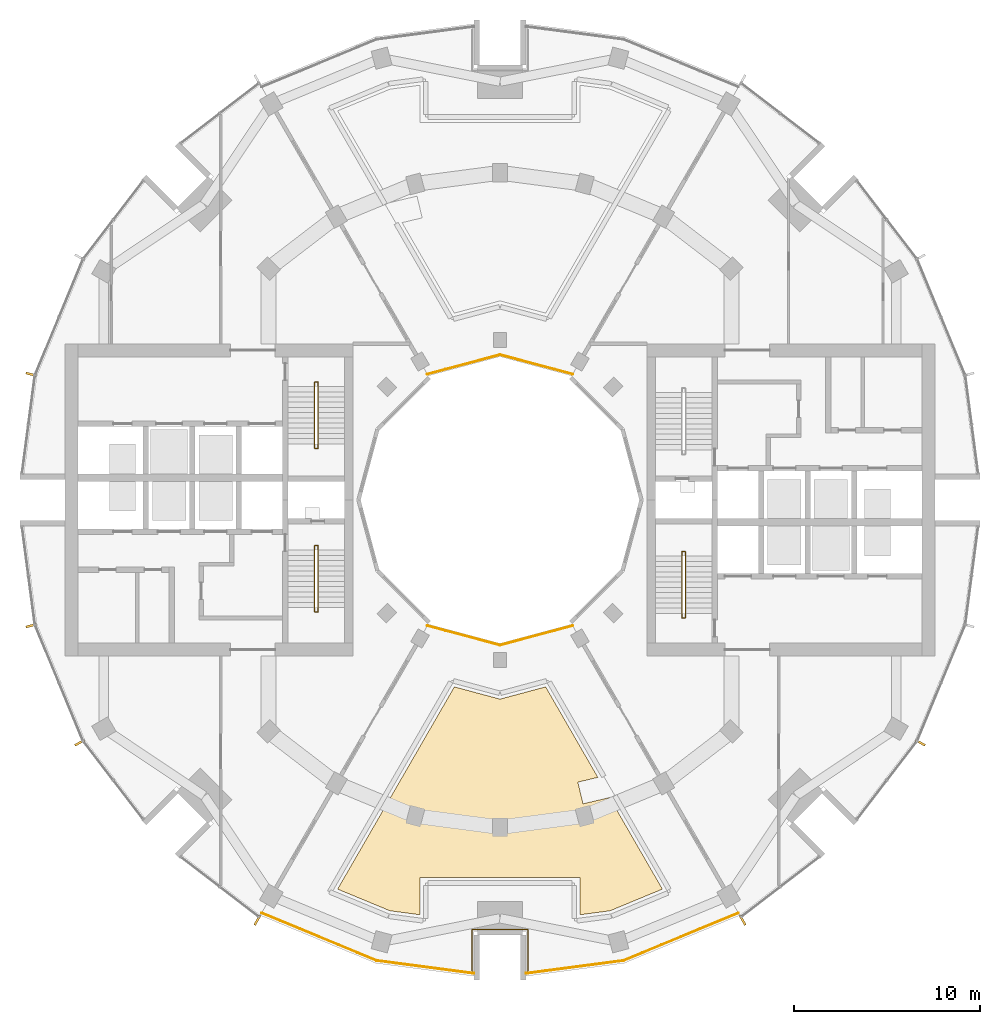
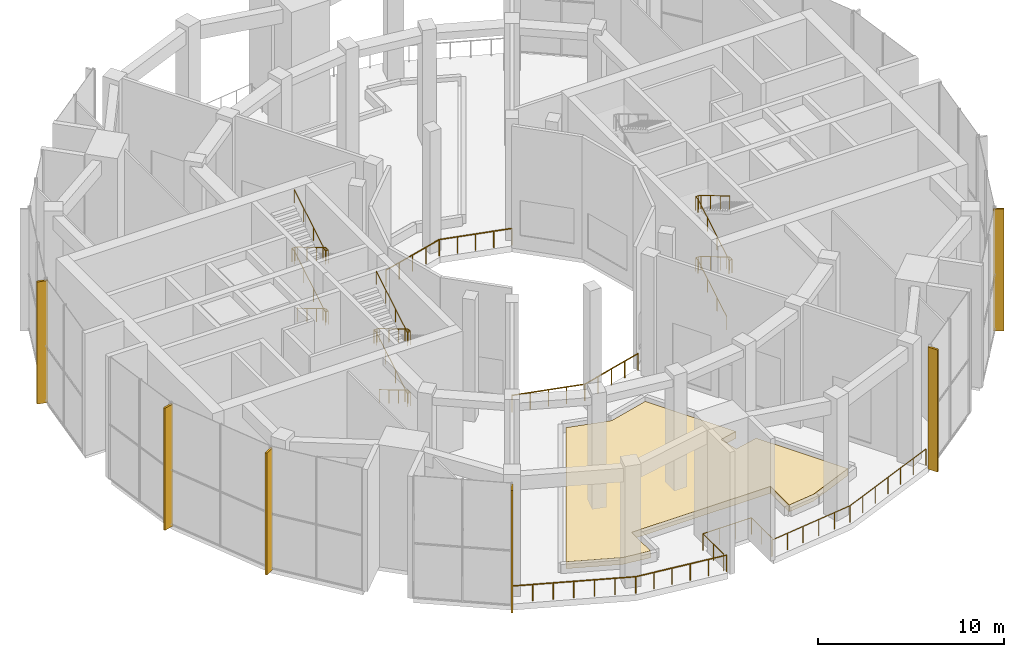
# One storey, part 16 of 18: 8 railings, 6 shading devices, 1 covering.
"""IFC4 building model written with IfcOpenShell, lengths in metres."""

from ifc_helpers import new_model, si_unit, direction, frame, origin, origin_2d, place, context, subcontext, project, spatial, polyline, rectangle, circle, outline, extrude, material, layer, layer_set, material_profile, profile_set, type_object, element, save


model = new_model("IFC4")

# Units and contexts
model_context = context("Model", 3, precision=1e-05, world=origin(), true_north=direction((0.0, 1.0)))
body_context = subcontext(model_context, "Body", "Model", "MODEL_VIEW")
ifc_project = project(units=[si_unit("LENGTHUNIT", "METRE"), si_unit("AREAUNIT", "SQUARE_METRE"), si_unit("VOLUMEUNIT", "CUBIC_METRE"), si_unit("PLANEANGLEUNIT", "RADIAN"), si_unit("MASSUNIT", "GRAM", prefix="KILO")], contexts=[model_context])

# Site, building, storey
site_placement = place(None, origin())
site = spatial("IfcSite", under=ifc_project, at=site_placement, CompositionType="ELEMENT")
building_placement = place(site_placement, origin())
building = spatial("IfcBuilding", under=site, at=building_placement, Name="Torre Brocal", CompositionType="ELEMENT")
storey_placement = place(building_placement, frame((0.0, 0.0, 149.699951171875)))
storey = spatial("IfcBuildingStorey", under=building, at=storey_placement, Name="L35", CompositionType="ELEMENT", Elevation=149.699951171875)

# Shading devices
ifc_material_1 = material(Name="Aluminium, black anodised", Category="aluminium")
ifc_material_profile = material_profile(ifc_material_1, rectangle(XDim=0.1201171875, YDim=0.60009765625, at=origin_2d()), Name="FIN 120X600 8000 HIGH")
ifc_profile_set = profile_set([ifc_material_profile], Name="Aluminium, black anodised")
shading_device_type = type_object("IfcShadingDeviceType", Name="FIN 120X600 8000 HIGH", PredefinedType="USERDEFINED", material=ifc_profile_set)
for number, where, z_axis, x_axis, name in (
    (1, (54.791015625, 81.754638671875, -0.14990234375), (0.0, 0.0, 1.0), (-0.258819045103, -0.965925826289, 0.0), "FIN"),
    (2, (54.791015625, 68.245361328125, -0.14990234375), (0.0, 0.0, 1.0), (0.258819045103, -0.965925826289, 0.0), "FIN"),
    (3, (57.398193359375, 61.950927734375, -0.14990234375), (0.0, 0.0, 1.0), (0.5, -0.866025403784, 0.0), "FIN"),
    (4, (66.950927734375, 52.398193359375, -0.14990234375), (0.0, 0.0, 1.0), (0.866025403784, -0.5, 0.0), "FIN"),
    (5, (93.049072265625, 52.398193359375, -0.14990234375), (0.0, 0.0, 1.0), (0.866025403784, 0.5, 0.0), "FIN"),
    (6, (102.601806640625, 61.950927734375, -0.14990234375), (0.0, 0.0, 1.0), (0.5, 0.866025403784, 0.0), "FIN"),
):
    element("IfcShadingDevice", number, at=place(storey_placement, frame(where, z_axis=z_axis, x_axis=x_axis)), inside=storey, type_object=shading_device_type, Name=name, ObjectType="FIN", PredefinedType="USERDEFINED", context=body_context, shape_type="SweptSolid", body=[
        extrude(rectangle(XDim=0.1201171875, YDim=0.60009765625, at=origin_2d()), origin(), (0.0, 0.0, 1.0), 8.0),
    ])

# Railings
ifc_material_2 = material(Name="Laminated glass", Category="glass")
railing_type_1 = type_object("IfcRailingType", Name="GLASS BALUSTRADE 1100", PredefinedType="BALUSTRADE", material=ifc_material_2)
railing_1_placement = place(storey_placement, frame((83.9052734375, 81.76416015625, 0.0)))
element("IfcRailing", 7, at=railing_1_placement, inside=storey, type_object=railing_type_1, Name="GLASS BALUSTRADE", PredefinedType="BALUSTRADE", context=body_context, shape_type="SweptSolid", body=[
    extrude(circle(Radius=0.02392578125, at=origin_2d()), frame((0.0, 0.0, 1.076171875), z_axis=(-0.965927566611, 0.258812550044, 0.0), x_axis=(-0.258812550044, -0.965927566611, 0.0)), (0.0, 0.0, 1.0), 4.04296875),
    extrude(circle(Radius=0.02392578125, at=origin_2d()), frame((-3.9052734375, 1.04638671875, 1.076171875), z_axis=(-0.965927566611, -0.258812550044, 0.0), x_axis=(0.258812550044, -0.965927566611, 0.0)), (0.0, 0.0, 1.0), 4.04296875),
    extrude(circle(Radius=0.02099609375, at=origin_2d()), origin(), (0.0, 0.0, 1.0), 1.052001953125),
    extrude(circle(Radius=0.02099609375, at=origin_2d()), frame((-0.976318359375, 0.26171875, 0.0)), (0.0, 0.0, 1.0), 1.052001953125),
    extrude(circle(Radius=0.02099609375, at=origin_2d()), frame((-1.95263671875, 0.523193359375, 0.0)), (0.0, 0.0, 1.0), 1.052001953125),
    extrude(circle(Radius=0.02099609375, at=origin_2d()), frame((-2.928955078125, 0.78466796875, 0.0)), (0.0, 0.0, 1.0), 1.052001953125),
    extrude(circle(Radius=0.02099609375, at=origin_2d()), frame((-3.9052734375, 1.04638671875, 0.0)), (0.0, 0.0, 1.0), 1.052001953125),
    extrude(circle(Radius=0.02099609375, at=origin_2d()), frame((-4.881591796875, 0.78466796875, 0.0)), (0.0, 0.0, 1.0), 1.052001953125),
    extrude(circle(Radius=0.02099609375, at=origin_2d()), frame((-5.85791015625, 0.523193359375, 0.0)), (0.0, 0.0, 1.0), 1.052001953125),
    extrude(circle(Radius=0.02099609375, at=origin_2d()), frame((-6.834228515625, 0.26171875, 0.0)), (0.0, 0.0, 1.0), 1.052001953125),
    extrude(circle(Radius=0.02099609375, at=origin_2d()), frame((-7.810546875, 0.0, 0.0)), (0.0, 0.0, 1.0), 1.052001953125),
])
railing_2_placement = place(storey_placement, frame((76.0947265625, 68.23583984375, 0.0)))
element("IfcRailing", 8, at=railing_2_placement, inside=storey, type_object=railing_type_1, Name="GLASS BALUSTRADE", PredefinedType="BALUSTRADE", context=body_context, shape_type="SweptSolid", body=[
    extrude(circle(Radius=0.02392578125, at=origin_2d()), frame((0.0, 0.0, 1.076171875), z_axis=(0.965927566611, -0.258812550044, 0.0), x_axis=(0.258812550044, 0.965927566611, 0.0)), (0.0, 0.0, 1.0), 4.04296875),
    extrude(circle(Radius=0.02392578125, at=origin_2d()), frame((3.9052734375, -1.04638671875, 1.076171875), z_axis=(0.965927566611, 0.258812550044, 0.0), x_axis=(-0.258812550044, 0.965927566611, 0.0)), (0.0, 0.0, 1.0), 4.04296875),
    extrude(circle(Radius=0.02099609375, at=origin_2d()), origin(), (0.0, 0.0, 1.0), 1.052001953125),
    extrude(circle(Radius=0.02099609375, at=origin_2d()), frame((0.976318359375, -0.26171875, 0.0)), (0.0, 0.0, 1.0), 1.052001953125),
    extrude(circle(Radius=0.02099609375, at=origin_2d()), frame((1.95263671875, -0.523193359375, 0.0)), (0.0, 0.0, 1.0), 1.052001953125),
    extrude(circle(Radius=0.02099609375, at=origin_2d()), frame((2.928955078125, -0.78466796875, 0.0)), (0.0, 0.0, 1.0), 1.052001953125),
    extrude(circle(Radius=0.02099609375, at=origin_2d()), frame((3.9052734375, -1.04638671875, 0.0)), (0.0, 0.0, 1.0), 1.052001953125),
    extrude(circle(Radius=0.02099609375, at=origin_2d()), frame((4.881591796875, -0.78466796875, 0.0)), (0.0, 0.0, 1.0), 1.052001953125),
    extrude(circle(Radius=0.02099609375, at=origin_2d()), frame((5.85791015625, -0.523193359375, 0.0)), (0.0, 0.0, 1.0), 1.052001953125),
    extrude(circle(Radius=0.02099609375, at=origin_2d()), frame((6.834228515625, -0.26171875, 0.0)), (0.0, 0.0, 1.0), 1.052001953125),
    extrude(circle(Radius=0.02099609375, at=origin_2d()), frame((7.810546875, 0.0, 0.0)), (0.0, 0.0, 1.0), 1.052001953125),
])
railing_3_placement = place(storey_placement, frame((67.176513671875, 52.7890625, 0.0)))
element("IfcRailing", 9, at=railing_3_placement, inside=storey, type_object=railing_type_1, Name="GLASS BALUSTRADE", PredefinedType="BALUSTRADE", context=body_context, shape_type="SweptSolid", body=[
    extrude(circle(Radius=0.02392578125, at=origin_2d()), frame((0.0, 0.0, 1.076171875), z_axis=(0.923873277269, -0.382698533507, 0.0), x_axis=(0.382698533507, 0.923873277269, 0.0)), (0.0, 0.0, 1.0), 6.6953125),
    extrude(circle(Radius=0.02392578125, at=origin_2d()), frame((6.185546875, -2.562255859375, 1.076171875), z_axis=(0.991448474977, -0.130498741241, 0.0), x_axis=(0.130498741241, 0.991448474977, 0.0)), (0.0, 0.0, 1.0), 5.283203125),
    extrude(circle(Radius=0.02099609375, at=origin_2d()), origin(), (0.0, 0.0, 1.0), 1.052001953125),
    extrude(circle(Radius=0.02099609375, at=origin_2d()), frame((1.031005859375, -0.427001953125, 0.0)), (0.0, 0.0, 1.0), 1.052001953125),
    extrude(circle(Radius=0.02099609375, at=origin_2d()), frame((2.061767578125, -0.85400390625, 0.0)), (0.0, 0.0, 1.0), 1.052001953125),
    extrude(circle(Radius=0.02099609375, at=origin_2d()), frame((3.0927734375, -1.28125, 0.0)), (0.0, 0.0, 1.0), 1.052001953125),
    extrude(circle(Radius=0.02099609375, at=origin_2d()), frame((4.123779296875, -1.708251953125, 0.0)), (0.0, 0.0, 1.0), 1.052001953125),
    extrude(circle(Radius=0.02099609375, at=origin_2d()), frame((5.154541015625, -2.13525390625, 0.0)), (0.0, 0.0, 1.0), 1.052001953125),
    extrude(circle(Radius=0.02099609375, at=origin_2d()), frame((6.185546875, -2.562255859375, 0.0)), (0.0, 0.0, 1.0), 1.052001953125),
    extrude(circle(Radius=0.02099609375, at=origin_2d()), frame((7.233154296875, -2.7001953125, 0.0)), (0.0, 0.0, 1.0), 1.052001953125),
    extrude(circle(Radius=0.02099609375, at=origin_2d()), frame((8.28076171875, -2.838134765625, 0.0)), (0.0, 0.0, 1.0), 1.052001953125),
    extrude(circle(Radius=0.02099609375, at=origin_2d()), frame((9.328369140625, -2.975830078125, 0.0)), (0.0, 0.0, 1.0), 1.052001953125),
    extrude(circle(Radius=0.02099609375, at=origin_2d()), frame((10.3759765625, -3.11376953125, 0.0)), (0.0, 0.0, 1.0), 1.052001953125),
    extrude(circle(Radius=0.02099609375, at=origin_2d()), frame((11.423583984375, -3.251708984375, 0.0)), (0.0, 0.0, 1.0), 1.052001953125),
])
railing_4_placement = place(storey_placement, frame((81.39990234375, 49.537353515625, 0.0)))
element("IfcRailing", 10, at=railing_4_placement, inside=storey, type_object=railing_type_1, Name="GLASS BALUSTRADE", PredefinedType="BALUSTRADE", context=body_context, shape_type="SweptSolid", body=[
    extrude(circle(Radius=0.02392578125, at=origin_2d()), frame((0.0, 0.0, 1.076171875), z_axis=(0.991448474977, 0.130498741241, 0.0), x_axis=(-0.130498741241, 0.991448474977, 0.0)), (0.0, 0.0, 1.0), 5.283203125),
    extrude(circle(Radius=0.02392578125, at=origin_2d()), frame((5.238037109375, 0.689453125, 1.076171875), z_axis=(0.923873277269, 0.382698533507, 0.0), x_axis=(-0.382698533507, 0.923873277269, 0.0)), (0.0, 0.0, 1.0), 6.6953125),
    extrude(circle(Radius=0.02099609375, at=origin_2d()), origin(), (0.0, 0.0, 1.0), 1.052001953125),
    extrude(circle(Radius=0.02099609375, at=origin_2d()), frame((1.047607421875, 0.137939453125, 0.0)), (0.0, 0.0, 1.0), 1.052001953125),
    extrude(circle(Radius=0.02099609375, at=origin_2d()), frame((2.09521484375, 0.27587890625, 0.0)), (0.0, 0.0, 1.0), 1.052001953125),
    extrude(circle(Radius=0.02099609375, at=origin_2d()), frame((3.142822265625, 0.41357421875, 0.0)), (0.0, 0.0, 1.0), 1.052001953125),
    extrude(circle(Radius=0.02099609375, at=origin_2d()), frame((4.1904296875, 0.551513671875, 0.0)), (0.0, 0.0, 1.0), 1.052001953125),
    extrude(circle(Radius=0.02099609375, at=origin_2d()), frame((5.238037109375, 0.689453125, 0.0)), (0.0, 0.0, 1.0), 1.052001953125),
    extrude(circle(Radius=0.02099609375, at=origin_2d()), frame((6.26904296875, 1.116455078125, 0.0)), (0.0, 0.0, 1.0), 1.052001953125),
    extrude(circle(Radius=0.02099609375, at=origin_2d()), frame((7.2998046875, 1.54345703125, 0.0)), (0.0, 0.0, 1.0), 1.052001953125),
    extrude(circle(Radius=0.02099609375, at=origin_2d()), frame((8.330810546875, 1.970703125, 0.0)), (0.0, 0.0, 1.0), 1.052001953125),
    extrude(circle(Radius=0.02099609375, at=origin_2d()), frame((9.36181640625, 2.397705078125, 0.0)), (0.0, 0.0, 1.0), 1.052001953125),
    extrude(circle(Radius=0.02099609375, at=origin_2d()), frame((10.392578125, 2.82470703125, 0.0)), (0.0, 0.0, 1.0), 1.052001953125),
    extrude(circle(Radius=0.02099609375, at=origin_2d()), frame((11.423583984375, 3.251708984375, 0.0)), (0.0, 0.0, 1.0), 1.052001953125),
])
ifc_material_3 = material(Name="Steel A36", Category="steel")
railing_type_2 = type_object("IfcRailingType", Name="GUARD 1100", PredefinedType="GUARDRAIL", material=ifc_material_3)
railing_5_placement = place(storey_placement, frame((81.5, 49.671630859375, 0.0)))
element("IfcRailing", 11, at=railing_5_placement, inside=storey, type_object=railing_type_2, Name="GUARD", PredefinedType="GUARDRAIL", context=body_context, shape_type="SweptSolid", body=[
    extrude(circle(Radius=0.02392578125, at=origin_2d()), frame((0.0, 0.0, 1.076171875), z_axis=(0.0, 1.0, 0.0), x_axis=(-1.0, 0.0, 0.0)), (0.0, 0.0, 1.0), 2.228271484375),
    extrude(circle(Radius=0.02392578125, at=origin_2d()), frame((0.0, 2.228271484375, 1.076171875), z_axis=(-1.0, 0.0, 0.0), x_axis=(0.0, -1.0, 0.0)), (0.0, 0.0, 1.0), 3.0),
    extrude(circle(Radius=0.02392578125, at=origin_2d()), frame((-3.0, 2.228271484375, 1.076171875), z_axis=(0.0, -1.0, 0.0), x_axis=(1.0, 0.0, 0.0)), (0.0, 0.0, 1.0), 2.228271484375),
    extrude(circle(Radius=0.02099609375, at=origin_2d()), origin(), (0.0, 0.0, 1.0), 1.052001953125),
    extrude(circle(Radius=0.02099609375, at=origin_2d()), frame((0.0, 1.1142578125, 0.0)), (0.0, 0.0, 1.0), 1.052001953125),
    extrude(circle(Radius=0.02099609375, at=origin_2d()), frame((0.0, 2.228271484375, 0.0)), (0.0, 0.0, 1.0), 1.052001953125),
    extrude(circle(Radius=0.02099609375, at=origin_2d()), frame((-1.0, 2.228271484375, 0.0)), (0.0, 0.0, 1.0), 1.052001953125),
    extrude(circle(Radius=0.02099609375, at=origin_2d()), frame((-2.0, 2.228271484375, 0.0)), (0.0, 0.0, 1.0), 1.052001953125),
    extrude(circle(Radius=0.02099609375, at=origin_2d()), frame((-3.0, 2.228271484375, 0.0)), (0.0, 0.0, 1.0), 1.052001953125),
    extrude(circle(Radius=0.02099609375, at=origin_2d()), frame((-3.0, 1.1142578125, 0.0)), (0.0, 0.0, 1.0), 1.052001953125),
    extrude(circle(Radius=0.02099609375, at=origin_2d()), frame((-3.0, 0.0, 0.0)), (0.0, 0.0, 1.0), 1.052001953125),
])

# Covering
ifc_material_4 = material(Name="Planting soil")
ifc_layer = layer(ifc_material_4, 0.449951171875)
ifc_layer_set = layer_set([ifc_layer], Name="Planting soil")
covering_type = type_object("IfcCoveringType", Name="PLANTING SOIL 450", PredefinedType="FLOORING", material=ifc_layer_set)
covering_placement = place(storey_placement, origin())
element("IfcCovering", 12, at=covering_placement, inside=storey, type_object=covering_type, Name="PLANTING SOIL", PredefinedType="FLOORING", context=body_context, shape_type="SweptSolid", body=[
    extrude(outline(polyline([(74.080078125, 52.90625), (71.265625, 54.07177734375), (77.54541015625, 64.948486328125), (80.0, 64.29052734375), (82.45458984375, 64.948486328125), (85.2646484375, 60.08154296875), (84.186767578125, 59.825439453125), (84.46435546875, 58.657958984375), (85.890625, 58.996826171875), (88.734375, 54.07177734375), (85.919921875, 52.90625), (84.300048828125, 52.69287109375), (84.300048828125, 54.699951171875), (75.699951171875, 54.699951171875), (75.699951171875, 52.69287109375), (74.080078125, 52.90625)])), origin(), (0.0, 0.0, 1.0), 0.449951171875),
])

# Railings
ifc_material_5 = material(Name="Stainless steel AISI 316", Category="steel")
railing_type_3 = type_object("IfcRailingType", Name="STAIR HANDRAIL", PredefinedType="HANDRAIL", material=ifc_material_5)
railing_6_placement = place(storey_placement, frame((89.780029296875, 68.89990234375, 0.166748046875)))
element("IfcRailing", 13, at=railing_6_placement, inside=storey, type_object=railing_type_3, Name="HANDRAIL ST2", PredefinedType="HANDRAIL", context=body_context, shape_type="SweptSolid", body=[
    extrude(circle(Radius=0.02392578125, at=origin_2d()), frame((0.0, 0.0, 0.8759765625), z_axis=(0.0, 0.859308565015, 0.511457515432), x_axis=(-1.0, 0.0, 0.0)), (0.0, 0.0, 1.0), 3.58447265625),
    extrude(circle(Radius=0.02392578125, at=origin_2d()), frame((0.0, 3.080078125, 2.708984375), z_axis=(0.0, 1.0, 0.0), x_axis=(-1.0, 0.0, 0.0)), (0.0, 0.0, 1.0), 0.25),
    extrude(circle(Radius=0.02392578125, at=origin_2d()), frame((0.0, 3.330078125, 2.708984375), z_axis=(1.0, 0.0, 0.0), x_axis=(0.0, 1.0, 0.0)), (0.0, 0.0, 1.0), 0.18994140625),
    extrude(circle(Radius=0.02392578125, at=origin_2d()), frame((0.18994140625, 3.330078125, 2.708984375), z_axis=(0.0, -0.831925284441, 0.554887665306), x_axis=(1.0, 0.0, 0.0)), (0.0, 0.0, 1.0), 0.300537109375),
    extrude(circle(Radius=0.02392578125, at=origin_2d()), frame((0.18994140625, 3.080078125, 2.8759765625), z_axis=(0.0, -0.859308565015, 0.511457515432), x_axis=(1.0, 0.0, 0.0)), (0.0, 0.0, 1.0), 3.58447265625),
    extrude(circle(Radius=0.02392578125, at=origin_2d()), frame((0.18994140625, 0.0, 4.708984375), z_axis=(0.0, -1.0, 0.0), x_axis=(1.0, 0.0, 0.0)), (0.0, 0.0, 1.0), 0.25),
    extrude(circle(Radius=0.02392578125, at=origin_2d()), frame((0.18994140625, -0.25, 4.708984375), z_axis=(-1.0, 0.0, 0.0), x_axis=(0.0, -1.0, 0.0)), (0.0, 0.0, 1.0), 0.18994140625),
    extrude(circle(Radius=0.02392578125, at=origin_2d()), frame((0.0, -0.25, 4.708984375), z_axis=(0.0, 0.831925284441, 0.554887665306), x_axis=(-1.0, 0.0, 0.0)), (0.0, 0.0, 1.0), 0.300537109375),
    extrude(circle(Radius=0.02392578125, at=origin_2d()), frame((0.0, 0.0, 4.8759765625), z_axis=(0.0, 0.859308565015, 0.511457515432), x_axis=(-1.0, 0.0, 0.0)), (0.0, 0.0, 1.0), 3.58447265625),
    extrude(circle(Radius=0.02392578125, at=origin_2d()), frame((0.0, 3.080078125, 6.708984375), z_axis=(0.0, 1.0, 0.0), x_axis=(-1.0, 0.0, 0.0)), (0.0, 0.0, 1.0), 0.25),
    extrude(circle(Radius=0.02392578125, at=origin_2d()), frame((0.0, 3.330078125, 6.708984375), z_axis=(1.0, 0.0, 0.0), x_axis=(0.0, 1.0, 0.0)), (0.0, 0.0, 1.0), 0.18994140625),
    extrude(circle(Radius=0.02392578125, at=origin_2d()), frame((0.18994140625, 3.330078125, 6.708984375), z_axis=(0.0, -0.831925284441, 0.554887665306), x_axis=(1.0, 0.0, 0.0)), (0.0, 0.0, 1.0), 0.300537109375),
    extrude(circle(Radius=0.02392578125, at=origin_2d()), frame((0.18994140625, 3.080078125, 6.8759765625), z_axis=(0.0, -0.859308565015, 0.511457515432), x_axis=(1.0, 0.0, 0.0)), (0.0, 0.0, 1.0), 3.58447265625),
    extrude(circle(Radius=0.02099609375, at=origin_2d()), origin(), (0.0, 0.0, 1.0), 0.851806640625),
    extrude(circle(Radius=0.02099609375, at=origin_2d()), frame((0.0, 1.026611328125, 0.611083984375)), (0.0, 0.0, 1.0), 0.851806640625),
    extrude(circle(Radius=0.02099609375, at=origin_2d()), frame((0.0, 2.053466796875, 1.22216796875)), (0.0, 0.0, 1.0), 0.851806640625),
    extrude(circle(Radius=0.02099609375, at=origin_2d()), frame((0.0, 3.080078125, 1.833251953125)), (0.0, 0.0, 1.0), 0.851806640625),
    extrude(circle(Radius=0.02099609375, at=origin_2d()), frame((0.0, 3.330078125, 1.833251953125)), (0.0, 0.0, 1.0), 0.851806640625),
    extrude(circle(Radius=0.02099609375, at=origin_2d()), frame((0.18994140625, 3.330078125, 1.833251953125)), (0.0, 0.0, 1.0), 0.851806640625),
    extrude(circle(Radius=0.02099609375, at=origin_2d()), frame((0.18994140625, 3.080078125, 2.0)), (0.0, 0.0, 1.0), 0.851806640625),
    extrude(circle(Radius=0.02099609375, at=origin_2d()), frame((0.18994140625, 2.053466796875, 2.611083984375)), (0.0, 0.0, 1.0), 0.851806640625),
    extrude(circle(Radius=0.02099609375, at=origin_2d()), frame((0.18994140625, 1.026611328125, 3.22216796875)), (0.0, 0.0, 1.0), 0.851806640625),
    extrude(circle(Radius=0.02099609375, at=origin_2d()), frame((0.18994140625, 0.0, 3.833251953125)), (0.0, 0.0, 1.0), 0.851806640625),
    extrude(circle(Radius=0.02099609375, at=origin_2d()), frame((0.18994140625, -0.25, 3.833251953125)), (0.0, 0.0, 1.0), 0.851806640625),
    extrude(circle(Radius=0.02099609375, at=origin_2d()), frame((0.0, -0.25, 3.833251953125)), (0.0, 0.0, 1.0), 0.851806640625),
    extrude(circle(Radius=0.02099609375, at=origin_2d()), frame((0.0, 0.0, 4.0)), (0.0, 0.0, 1.0), 0.851806640625),
    extrude(circle(Radius=0.02099609375, at=origin_2d()), frame((0.0, 1.026611328125, 4.611083984375)), (0.0, 0.0, 1.0), 0.851806640625),
    extrude(circle(Radius=0.02099609375, at=origin_2d()), frame((0.0, 2.053466796875, 5.22216796875)), (0.0, 0.0, 1.0), 0.851806640625),
    extrude(circle(Radius=0.02099609375, at=origin_2d()), frame((0.0, 3.080078125, 5.833251953125)), (0.0, 0.0, 1.0), 0.851806640625),
    extrude(circle(Radius=0.02099609375, at=origin_2d()), frame((0.0, 3.330078125, 5.833251953125)), (0.0, 0.0, 1.0), 0.851806640625),
    extrude(circle(Radius=0.02099609375, at=origin_2d()), frame((0.18994140625, 3.330078125, 5.833251953125)), (0.0, 0.0, 1.0), 0.851806640625),
    extrude(circle(Radius=0.02099609375, at=origin_2d()), frame((0.18994140625, 3.080078125, 6.0)), (0.0, 0.0, 1.0), 0.851806640625),
    extrude(circle(Radius=0.02099609375, at=origin_2d()), frame((0.18994140625, 2.053466796875, 6.611083984375)), (0.0, 0.0, 1.0), 0.851806640625),
    extrude(circle(Radius=0.02099609375, at=origin_2d()), frame((0.18994140625, 1.026611328125, 7.22216796875)), (0.0, 0.0, 1.0), 0.851806640625),
    extrude(circle(Radius=0.02099609375, at=origin_2d()), frame((0.18994140625, 0.0, 7.833251953125)), (0.0, 0.0, 1.0), 0.851806640625),
])
railing_7_placement = place(storey_placement, frame((70.219970703125, 72.300048828125, 0.166748046875)))
element("IfcRailing", 14, at=railing_7_placement, inside=storey, type_object=railing_type_3, Name="HANDRAIL ST3", PredefinedType="HANDRAIL", context=body_context, shape_type="SweptSolid", body=[
    extrude(circle(Radius=0.02392578125, at=origin_2d()), frame((0.0, 0.0, 0.8759765625), z_axis=(0.0, -0.859308565015, 0.511457515432), x_axis=(1.0, 0.0, 0.0)), (0.0, 0.0, 1.0), 3.58447265625),
    extrude(circle(Radius=0.02392578125, at=origin_2d()), frame((0.0, -3.080078125, 2.708984375), z_axis=(0.0, -1.0, 0.0), x_axis=(1.0, 0.0, 0.0)), (0.0, 0.0, 1.0), 0.25),
    extrude(circle(Radius=0.02392578125, at=origin_2d()), frame((0.0, -3.330078125, 2.708984375), z_axis=(-1.0, 0.0, 0.0), x_axis=(0.0, -1.0, 0.0)), (0.0, 0.0, 1.0), 0.18994140625),
    extrude(circle(Radius=0.02392578125, at=origin_2d()), frame((-0.18994140625, -3.330078125, 2.708984375), z_axis=(0.0, 0.831925284441, 0.554887665306), x_axis=(-1.0, 0.0, 0.0)), (0.0, 0.0, 1.0), 0.300537109375),
    extrude(circle(Radius=0.02392578125, at=origin_2d()), frame((-0.18994140625, -3.080078125, 2.8759765625), z_axis=(0.0, 0.859308565015, 0.511457515432), x_axis=(-1.0, 0.0, 0.0)), (0.0, 0.0, 1.0), 3.58447265625),
    extrude(circle(Radius=0.02392578125, at=origin_2d()), frame((-0.18994140625, 0.0, 4.708984375), z_axis=(0.0, 1.0, 0.0), x_axis=(-1.0, 0.0, 0.0)), (0.0, 0.0, 1.0), 0.25),
    extrude(circle(Radius=0.02392578125, at=origin_2d()), frame((-0.18994140625, 0.25, 4.708984375), z_axis=(1.0, 0.0, 0.0), x_axis=(0.0, 1.0, 0.0)), (0.0, 0.0, 1.0), 0.18994140625),
    extrude(circle(Radius=0.02392578125, at=origin_2d()), frame((0.0, 0.25, 4.708984375), z_axis=(0.0, -0.831925284441, 0.554887665306), x_axis=(1.0, 0.0, 0.0)), (0.0, 0.0, 1.0), 0.300537109375),
    extrude(circle(Radius=0.02392578125, at=origin_2d()), frame((0.0, 0.0, 4.8759765625), z_axis=(0.0, -0.859308565015, 0.511457515432), x_axis=(1.0, 0.0, 0.0)), (0.0, 0.0, 1.0), 3.58447265625),
    extrude(circle(Radius=0.02392578125, at=origin_2d()), frame((0.0, -3.080078125, 6.708984375), z_axis=(0.0, -1.0, 0.0), x_axis=(1.0, 0.0, 0.0)), (0.0, 0.0, 1.0), 0.25),
    extrude(circle(Radius=0.02392578125, at=origin_2d()), frame((0.0, -3.330078125, 6.708984375), z_axis=(-1.0, 0.0, 0.0), x_axis=(0.0, -1.0, 0.0)), (0.0, 0.0, 1.0), 0.18994140625),
    extrude(circle(Radius=0.02392578125, at=origin_2d()), frame((-0.18994140625, -3.330078125, 6.708984375), z_axis=(0.0, 0.831925284441, 0.554887665306), x_axis=(-1.0, 0.0, 0.0)), (0.0, 0.0, 1.0), 0.300537109375),
    extrude(circle(Radius=0.02392578125, at=origin_2d()), frame((-0.18994140625, -3.080078125, 6.8759765625), z_axis=(0.0, 0.859308565015, 0.511457515432), x_axis=(-1.0, 0.0, 0.0)), (0.0, 0.0, 1.0), 3.58447265625),
    extrude(circle(Radius=0.02099609375, at=origin_2d()), origin(), (0.0, 0.0, 1.0), 0.851806640625),
    extrude(circle(Radius=0.02099609375, at=origin_2d()), frame((0.0, -1.026611328125, 0.611083984375)), (0.0, 0.0, 1.0), 0.851806640625),
    extrude(circle(Radius=0.02099609375, at=origin_2d()), frame((0.0, -2.053466796875, 1.22216796875)), (0.0, 0.0, 1.0), 0.851806640625),
    extrude(circle(Radius=0.02099609375, at=origin_2d()), frame((0.0, -3.080078125, 1.833251953125)), (0.0, 0.0, 1.0), 0.851806640625),
    extrude(circle(Radius=0.02099609375, at=origin_2d()), frame((0.0, -3.330078125, 1.833251953125)), (0.0, 0.0, 1.0), 0.851806640625),
    extrude(circle(Radius=0.02099609375, at=origin_2d()), frame((-0.18994140625, -3.330078125, 1.833251953125)), (0.0, 0.0, 1.0), 0.851806640625),
    extrude(circle(Radius=0.02099609375, at=origin_2d()), frame((-0.18994140625, -3.080078125, 2.0)), (0.0, 0.0, 1.0), 0.851806640625),
    extrude(circle(Radius=0.02099609375, at=origin_2d()), frame((-0.18994140625, -2.053466796875, 2.611083984375)), (0.0, 0.0, 1.0), 0.851806640625),
    extrude(circle(Radius=0.02099609375, at=origin_2d()), frame((-0.18994140625, -1.026611328125, 3.22216796875)), (0.0, 0.0, 1.0), 0.851806640625),
    extrude(circle(Radius=0.02099609375, at=origin_2d()), frame((-0.18994140625, 0.0, 3.833251953125)), (0.0, 0.0, 1.0), 0.851806640625),
    extrude(circle(Radius=0.02099609375, at=origin_2d()), frame((-0.18994140625, 0.25, 3.833251953125)), (0.0, 0.0, 1.0), 0.851806640625),
    extrude(circle(Radius=0.02099609375, at=origin_2d()), frame((0.0, 0.25, 3.833251953125)), (0.0, 0.0, 1.0), 0.851806640625),
    extrude(circle(Radius=0.02099609375, at=origin_2d()), frame((0.0, 0.0, 4.0)), (0.0, 0.0, 1.0), 0.851806640625),
    extrude(circle(Radius=0.02099609375, at=origin_2d()), frame((0.0, -1.026611328125, 4.611083984375)), (0.0, 0.0, 1.0), 0.851806640625),
    extrude(circle(Radius=0.02099609375, at=origin_2d()), frame((0.0, -2.053466796875, 5.22216796875)), (0.0, 0.0, 1.0), 0.851806640625),
    extrude(circle(Radius=0.02099609375, at=origin_2d()), frame((0.0, -3.080078125, 5.833251953125)), (0.0, 0.0, 1.0), 0.851806640625),
    extrude(circle(Radius=0.02099609375, at=origin_2d()), frame((0.0, -3.330078125, 5.833251953125)), (0.0, 0.0, 1.0), 0.851806640625),
    extrude(circle(Radius=0.02099609375, at=origin_2d()), frame((-0.18994140625, -3.330078125, 5.833251953125)), (0.0, 0.0, 1.0), 0.851806640625),
    extrude(circle(Radius=0.02099609375, at=origin_2d()), frame((-0.18994140625, -3.080078125, 6.0)), (0.0, 0.0, 1.0), 0.851806640625),
    extrude(circle(Radius=0.02099609375, at=origin_2d()), frame((-0.18994140625, -2.053466796875, 6.611083984375)), (0.0, 0.0, 1.0), 0.851806640625),
    extrude(circle(Radius=0.02099609375, at=origin_2d()), frame((-0.18994140625, -1.026611328125, 7.22216796875)), (0.0, 0.0, 1.0), 0.851806640625),
    extrude(circle(Radius=0.02099609375, at=origin_2d()), frame((-0.18994140625, 0.0, 7.833251953125)), (0.0, 0.0, 1.0), 0.851806640625),
])
railing_8_placement = place(storey_placement, frame((70.219970703125, 81.10009765625, 0.166748046875)))
element("IfcRailing", 15, at=railing_8_placement, inside=storey, type_object=railing_type_3, Name="HANDRAIL ST4", PredefinedType="HANDRAIL", context=body_context, shape_type="SweptSolid", body=[
    extrude(circle(Radius=0.02392578125, at=origin_2d()), frame((0.0, 0.0, 0.8759765625), z_axis=(0.0, -0.859308565015, 0.511457515432), x_axis=(1.0, 0.0, 0.0)), (0.0, 0.0, 1.0), 3.58447265625),
    extrude(circle(Radius=0.02392578125, at=origin_2d()), frame((0.0, -3.080078125, 2.708984375), z_axis=(0.0, -1.0, 0.0), x_axis=(1.0, 0.0, 0.0)), (0.0, 0.0, 1.0), 0.25),
    extrude(circle(Radius=0.02392578125, at=origin_2d()), frame((0.0, -3.330078125, 2.708984375), z_axis=(-1.0, 0.0, 0.0), x_axis=(0.0, -1.0, 0.0)), (0.0, 0.0, 1.0), 0.18994140625),
    extrude(circle(Radius=0.02392578125, at=origin_2d()), frame((-0.18994140625, -3.330078125, 2.708984375), z_axis=(0.0, 0.831925284441, 0.554887665306), x_axis=(-1.0, 0.0, 0.0)), (0.0, 0.0, 1.0), 0.300537109375),
    extrude(circle(Radius=0.02392578125, at=origin_2d()), frame((-0.18994140625, -3.080078125, 2.8759765625), z_axis=(0.0, 0.859308565015, 0.511457515432), x_axis=(-1.0, 0.0, 0.0)), (0.0, 0.0, 1.0), 3.58447265625),
    extrude(circle(Radius=0.02392578125, at=origin_2d()), frame((-0.18994140625, 0.0, 4.708984375), z_axis=(0.0, 1.0, 0.0), x_axis=(-1.0, 0.0, 0.0)), (0.0, 0.0, 1.0), 0.25),
    extrude(circle(Radius=0.02392578125, at=origin_2d()), frame((-0.18994140625, 0.25, 4.708984375), z_axis=(1.0, 0.0, 0.0), x_axis=(0.0, 1.0, 0.0)), (0.0, 0.0, 1.0), 0.18994140625),
    extrude(circle(Radius=0.02392578125, at=origin_2d()), frame((0.0, 0.25, 4.708984375), z_axis=(0.0, -0.831925284441, 0.554887665306), x_axis=(1.0, 0.0, 0.0)), (0.0, 0.0, 1.0), 0.300537109375),
    extrude(circle(Radius=0.02392578125, at=origin_2d()), frame((0.0, 0.0, 4.8759765625), z_axis=(0.0, -0.859308565015, 0.511457515432), x_axis=(1.0, 0.0, 0.0)), (0.0, 0.0, 1.0), 3.58447265625),
    extrude(circle(Radius=0.02392578125, at=origin_2d()), frame((0.0, -3.080078125, 6.708984375), z_axis=(0.0, -1.0, 0.0), x_axis=(1.0, 0.0, 0.0)), (0.0, 0.0, 1.0), 0.25),
    extrude(circle(Radius=0.02392578125, at=origin_2d()), frame((0.0, -3.330078125, 6.708984375), z_axis=(-1.0, 0.0, 0.0), x_axis=(0.0, -1.0, 0.0)), (0.0, 0.0, 1.0), 0.18994140625),
    extrude(circle(Radius=0.02392578125, at=origin_2d()), frame((-0.18994140625, -3.330078125, 6.708984375), z_axis=(0.0, 0.831925284441, 0.554887665306), x_axis=(-1.0, 0.0, 0.0)), (0.0, 0.0, 1.0), 0.300537109375),
    extrude(circle(Radius=0.02392578125, at=origin_2d()), frame((-0.18994140625, -3.080078125, 6.8759765625), z_axis=(0.0, 0.859308565015, 0.511457515432), x_axis=(-1.0, 0.0, 0.0)), (0.0, 0.0, 1.0), 3.58447265625),
    extrude(circle(Radius=0.02099609375, at=origin_2d()), origin(), (0.0, 0.0, 1.0), 0.851806640625),
    extrude(circle(Radius=0.02099609375, at=origin_2d()), frame((0.0, -1.026611328125, 0.611083984375)), (0.0, 0.0, 1.0), 0.851806640625),
    extrude(circle(Radius=0.02099609375, at=origin_2d()), frame((0.0, -2.053466796875, 1.22216796875)), (0.0, 0.0, 1.0), 0.851806640625),
    extrude(circle(Radius=0.02099609375, at=origin_2d()), frame((0.0, -3.080078125, 1.833251953125)), (0.0, 0.0, 1.0), 0.851806640625),
    extrude(circle(Radius=0.02099609375, at=origin_2d()), frame((0.0, -3.330078125, 1.833251953125)), (0.0, 0.0, 1.0), 0.851806640625),
    extrude(circle(Radius=0.02099609375, at=origin_2d()), frame((-0.18994140625, -3.330078125, 1.833251953125)), (0.0, 0.0, 1.0), 0.851806640625),
    extrude(circle(Radius=0.02099609375, at=origin_2d()), frame((-0.18994140625, -3.080078125, 2.0)), (0.0, 0.0, 1.0), 0.851806640625),
    extrude(circle(Radius=0.02099609375, at=origin_2d()), frame((-0.18994140625, -2.053466796875, 2.611083984375)), (0.0, 0.0, 1.0), 0.851806640625),
    extrude(circle(Radius=0.02099609375, at=origin_2d()), frame((-0.18994140625, -1.026611328125, 3.22216796875)), (0.0, 0.0, 1.0), 0.851806640625),
    extrude(circle(Radius=0.02099609375, at=origin_2d()), frame((-0.18994140625, 0.0, 3.833251953125)), (0.0, 0.0, 1.0), 0.851806640625),
    extrude(circle(Radius=0.02099609375, at=origin_2d()), frame((-0.18994140625, 0.25, 3.833251953125)), (0.0, 0.0, 1.0), 0.851806640625),
    extrude(circle(Radius=0.02099609375, at=origin_2d()), frame((0.0, 0.25, 3.833251953125)), (0.0, 0.0, 1.0), 0.851806640625),
    extrude(circle(Radius=0.02099609375, at=origin_2d()), frame((0.0, 0.0, 4.0)), (0.0, 0.0, 1.0), 0.851806640625),
    extrude(circle(Radius=0.02099609375, at=origin_2d()), frame((0.0, -1.026611328125, 4.611083984375)), (0.0, 0.0, 1.0), 0.851806640625),
    extrude(circle(Radius=0.02099609375, at=origin_2d()), frame((0.0, -2.053466796875, 5.22216796875)), (0.0, 0.0, 1.0), 0.851806640625),
    extrude(circle(Radius=0.02099609375, at=origin_2d()), frame((0.0, -3.080078125, 5.833251953125)), (0.0, 0.0, 1.0), 0.851806640625),
    extrude(circle(Radius=0.02099609375, at=origin_2d()), frame((0.0, -3.330078125, 5.833251953125)), (0.0, 0.0, 1.0), 0.851806640625),
    extrude(circle(Radius=0.02099609375, at=origin_2d()), frame((-0.18994140625, -3.330078125, 5.833251953125)), (0.0, 0.0, 1.0), 0.851806640625),
    extrude(circle(Radius=0.02099609375, at=origin_2d()), frame((-0.18994140625, -3.080078125, 6.0)), (0.0, 0.0, 1.0), 0.851806640625),
    extrude(circle(Radius=0.02099609375, at=origin_2d()), frame((-0.18994140625, -2.053466796875, 6.611083984375)), (0.0, 0.0, 1.0), 0.851806640625),
    extrude(circle(Radius=0.02099609375, at=origin_2d()), frame((-0.18994140625, -1.026611328125, 7.22216796875)), (0.0, 0.0, 1.0), 0.851806640625),
    extrude(circle(Radius=0.02099609375, at=origin_2d()), frame((-0.18994140625, 0.0, 7.833251953125)), (0.0, 0.0, 1.0), 0.851806640625),
])

save(model, "model.ifc")
